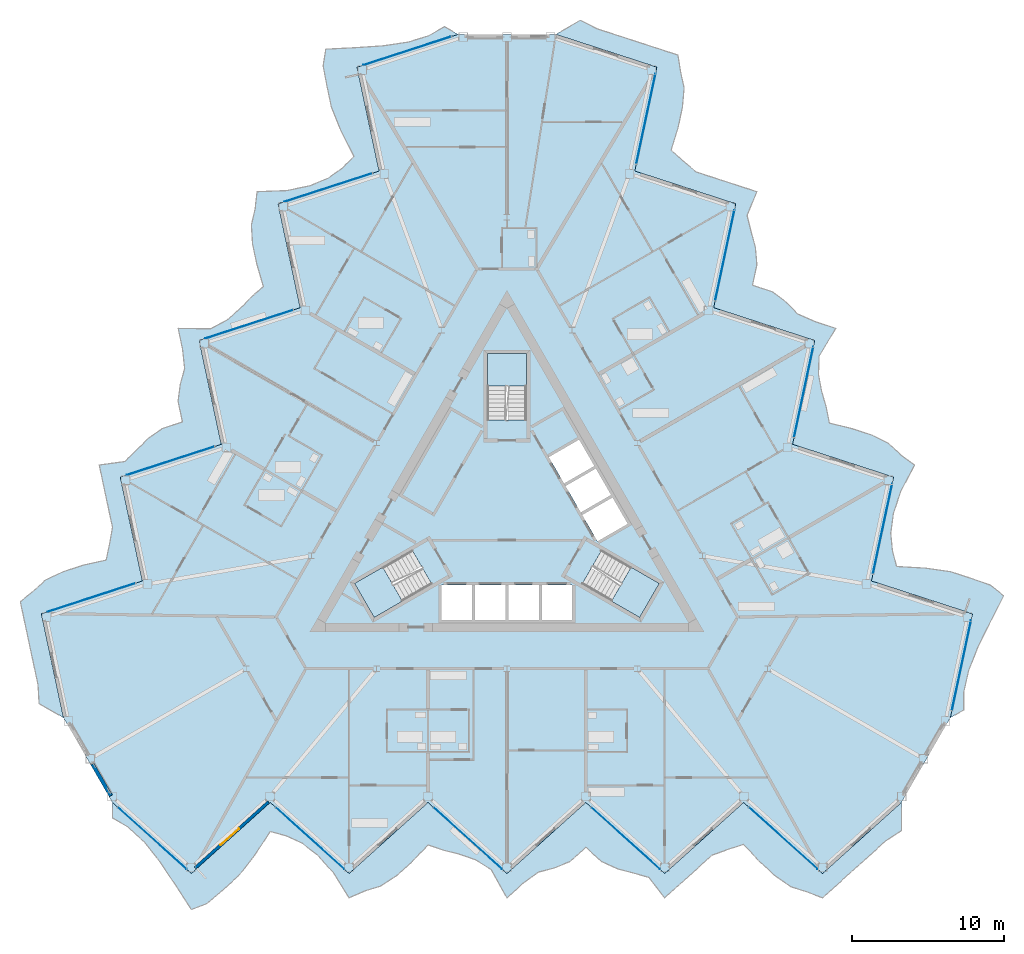
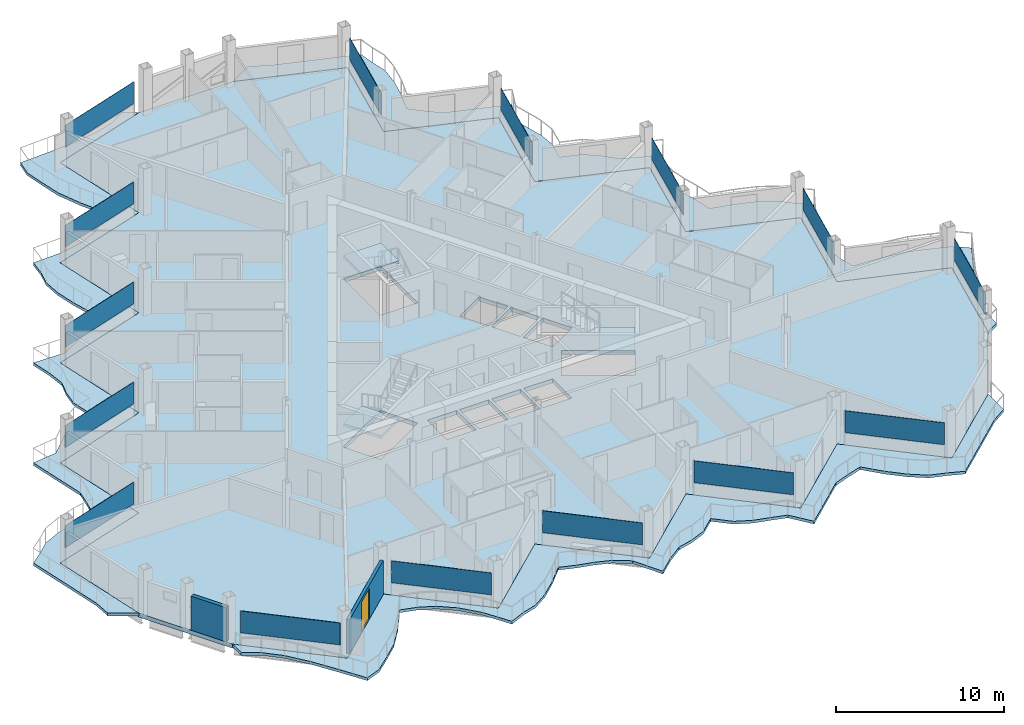
# One storey, part 12 of 26: 15 plates, 7 slabs, 2 walls, 1 door, 1 opening, 18 elements without a shape of their own.
"""IFC4 building model written with IfcOpenShell, lengths in metres."""

from ifc_helpers import new_model, si_unit, direction, frame, frame_2d, origin, origin_2d, place, context, subcontext, project, spatial, polyline, rectangle, outline, extrude, material, layer, layer_set, type_object, element, fill, aggregate, save


model = new_model("IFC4")

# Units and contexts
model_context = context("Model", 3, precision=1e-05, world=origin(), true_north=direction((0.0, 1.0)))
body_context = subcontext(model_context, "Body", "Model", "MODEL_VIEW")
ifc_project = project(units=[si_unit("LENGTHUNIT", "METRE"), si_unit("AREAUNIT", "SQUARE_METRE"), si_unit("VOLUMEUNIT", "CUBIC_METRE"), si_unit("PLANEANGLEUNIT", "RADIAN"), si_unit("MASSUNIT", "GRAM", prefix="KILO")], contexts=[model_context])

# Site, building, storey
site_placement = place(None, origin())
site = spatial("IfcSite", under=ifc_project, at=site_placement, CompositionType="ELEMENT")
building_placement = place(site_placement, origin())
building = spatial("IfcBuilding", under=site, at=building_placement, Name="Cormorant Prow Tower", CompositionType="ELEMENT")
storey_placement = place(building_placement, frame((0.0, 0.0, 322.199951171875)))
storey = spatial("IfcBuildingStorey", under=building, at=storey_placement, Name="L71", CompositionType="ELEMENT", Elevation=322.199951171875)

# Slabs
ifc_material_1 = material(Name="Concrete C40/50", Category="concrete")
ifc_layer_1 = layer(ifc_material_1, 0.199951171875)
ifc_layer_set_1 = layer_set([ifc_layer_1], Name="Concrete C40/50")
slab_type_1 = type_object("IfcSlabType", Name="Balcony slab 200", PredefinedType="FLOOR", material=ifc_layer_set_1)
slab_1_placement = place(storey_placement, frame((0.0, 0.0, -0.199951171875)))
element("IfcSlab", 1, at=slab_1_placement, inside=storey, type_object=slab_type_1, Name="Balcony slab S L71", PredefinedType="FLOOR", context=body_context, shape_type="SweptSolid", body=[
    extrude(outline(polyline([(-25.9736328125, -18.718017578125), (-25.9736328125, -19.734130859375), (-24.9345703125, -20.33837890625), (-23.895751953125, -21.299560546875), (-22.856689453125, -22.610595703125), (-21.81787109375, -24.16064453125), (-20.77880859375, -25.769287109375), (-19.739990234375, -25.367919921875), (-18.700927734375, -24.474609375), (-17.662109375, -23.5390625), (-16.623046875, -22.214111328125), (-15.584228515625, -20.627685546875), (-14.545166015625, -20.90966796875), (-13.50634765625, -21.380615234375), (-12.46728515625, -22.177490234375), (-11.428466796875, -23.3408203125), (-10.389404296875, -24.995361328125), (-9.3505859375, -24.540283203125), (-8.3115234375, -24.223876953125), (-7.272705078125, -23.5390625), (-6.233642578125, -22.603515625), (-5.19482421875, -21.515625), (-4.15576171875, -21.864990234375), (-3.116943359375, -22.123046875), (-2.077880859375, -22.488525390625), (-1.0390625, -23.129150390625), (0.0, -24.995361328125), (1.0390625, -24.06005859375), (2.077880859375, -23.300537109375), (3.116943359375, -23.0322265625), (4.15576171875, -22.603515625), (5.19482421875, -21.668212890625), (6.233642578125, -22.603515625), (7.272705078125, -23.083984375), (8.3115234375, -23.358154296875), (9.3505859375, -23.652099609375), (10.389404296875, -24.995361328125), (11.428466796875, -24.06005859375), (12.46728515625, -23.12451171875), (13.50634765625, -22.18896484375), (14.545166015625, -21.80859375), (15.584228515625, -21.474365234375), (16.623046875, -22.603515625), (17.662109375, -23.5390625), (18.700927734375, -24.267578125), (19.739990234375, -24.597412109375), (20.77880859375, -24.995361328125), (21.81787109375, -24.06005859375), (22.856689453125, -23.12451171875), (23.895751953125, -22.18896484375), (24.9345703125, -21.253662109375), (25.9736328125, -20.56982421875), (25.9736328125, -18.718017578125), (24.9345703125, -19.653564453125), (23.895751953125, -20.589111328125), (22.856689453125, -21.5244140625), (21.81787109375, -22.4599609375), (20.77880859375, -23.3955078125), (19.739990234375, -22.4599609375), (18.700927734375, -21.5244140625), (17.662109375, -20.589111328125), (16.623046875, -19.653564453125), (15.584228515625, -18.718017578125), (14.545166015625, -19.653564453125), (13.50634765625, -20.589111328125), (12.46728515625, -21.5244140625), (11.428466796875, -22.4599609375), (10.389404296875, -23.3955078125), (9.3505859375, -22.4599609375), (8.3115234375, -21.5244140625), (7.272705078125, -20.589111328125), (6.233642578125, -19.653564453125), (5.19482421875, -18.718017578125), (4.15576171875, -19.653564453125), (3.116943359375, -20.589111328125), (2.077880859375, -21.5244140625), (1.0390625, -22.4599609375), (0.0, -23.3955078125), (-1.0390625, -22.4599609375), (-2.077880859375, -21.5244140625), (-3.116943359375, -20.589111328125), (-4.15576171875, -19.653564453125), (-5.19482421875, -18.718017578125), (-6.233642578125, -19.653564453125), (-7.272705078125, -20.589111328125), (-8.3115234375, -21.5244140625), (-9.3505859375, -22.4599609375), (-10.389404296875, -23.3955078125), (-11.428466796875, -22.4599609375), (-12.46728515625, -21.5244140625), (-13.50634765625, -20.589111328125), (-14.545166015625, -19.653564453125), (-15.584228515625, -18.718017578125), (-16.623046875, -19.653564453125), (-17.662109375, -20.589111328125), (-18.700927734375, -21.5244140625), (-19.739990234375, -22.4599609375), (-20.77880859375, -23.3955078125), (-21.81787109375, -22.4599609375), (-22.856689453125, -21.5244140625), (-23.895751953125, -20.589111328125), (-24.9345703125, -19.653564453125), (-25.9736328125, -18.718017578125)])), origin(), (0.0, 0.0, 1.0), 0.199951171875),
])
slab_2_placement = place(storey_placement, frame((0.0, 0.0, -0.199951171875)))
element("IfcSlab", 2, at=slab_2_placement, inside=storey, type_object=slab_type_1, Name="Balcony slab ENE L71", PredefinedType="FLOOR", context=body_context, shape_type="SweptSolid", body=[
    extrude(outline(polyline([(29.197021484375, -13.134765625), (30.0771484375, -12.626708984375), (30.080810546875, -11.4248046875), (30.393798828125, -10.04443359375), (31.009521484375, -8.4892578125), (31.83251953125, -6.814453125), (32.706298828125, -5.1103515625), (31.839111328125, -4.411376953125), (30.546142578125, -3.958251953125), (29.21630859375, -3.526123046875), (27.549560546875, -3.288818359375), (25.65625, -3.182373046875), (25.380859375, -2.1416015625), (25.269287109375, -1.00634765625), (25.43994140625, 0.291748046875), (25.927978515625, 1.773193359375), (26.84130859375, 3.500244140625), (25.927734375, 4.17236328125), (25.13427734375, 4.913818359375), (24.021728515625, 5.47119140625), (22.692138671875, 5.9033203125), (21.23046875, 6.259033203125), (21.013671875, 7.33349609375), (20.717529296875, 8.3623046875), (20.5146484375, 9.44482421875), (20.550048828125, 10.664794921875), (21.646728515625, 12.497802734375), (20.317138671875, 12.9296875), (19.139892578125, 13.44970703125), (18.38818359375, 14.21533203125), (17.497314453125, 14.90087890625), (16.167724609375, 15.332763671875), (16.45849609375, 16.7001953125), (16.35498046875, 17.840087890625), (16.072998046875, 18.877197265625), (15.80810546875, 19.923828125), (16.451904296875, 21.4951171875), (15.122314453125, 21.92724609375), (13.792724609375, 22.359375), (12.463134765625, 22.791259765625), (11.6142578125, 23.500732421875), (10.80517578125, 24.2333984375), (11.263671875, 25.69775390625), (11.554443359375, 27.065185546875), (11.665771484375, 28.3291015625), (11.43212890625, 29.39404296875), (11.25732421875, 30.49267578125), (9.927734375, 30.9248046875), (8.59814453125, 31.356689453125), (7.2685546875, 31.788818359375), (5.93896484375, 32.220703125), (4.8271484375, 32.778564453125), (3.2236328125, 31.852783203125), (4.55322265625, 31.4208984375), (5.8828125, 30.98876953125), (7.21240234375, 30.556640625), (8.5419921875, 30.124755859375), (9.87158203125, 29.692626953125), (9.5810546875, 28.3251953125), (9.290283203125, 26.957763671875), (8.999755859375, 25.59033203125), (8.708984375, 24.222900390625), (8.418212890625, 22.855224609375), (9.748046875, 22.42333984375), (11.07763671875, 21.9912109375), (12.4072265625, 21.559326171875), (13.73681640625, 21.127197265625), (15.06640625, 20.6953125), (14.775634765625, 19.32763671875), (14.485107421875, 17.960205078125), (14.1943359375, 16.5927734375), (13.90380859375, 15.225341796875), (13.613037109375, 13.85791015625), (14.942626953125, 13.42578125), (16.272216796875, 12.993896484375), (17.601806640625, 12.561767578125), (18.931396484375, 12.129638671875), (20.260986328125, 11.69775390625), (19.970458984375, 10.330322265625), (19.6796875, 8.962646484375), (19.38916015625, 7.59521484375), (19.098388671875, 6.227783203125), (18.8076171875, 4.8603515625), (20.137451171875, 4.42822265625), (21.467041015625, 3.996337890625), (22.796630859375, 3.564208984375), (24.126220703125, 3.13232421875), (25.455810546875, 2.7001953125), (25.1650390625, 1.332763671875), (24.87451171875, -0.03466796875), (24.583740234375, -1.402099609375), (24.293212890625, -2.769775390625), (24.00244140625, -4.13720703125), (25.33203125, -4.569091796875), (26.66162109375, -5.001220703125), (27.9912109375, -5.43310546875), (29.32080078125, -5.865234375), (30.650390625, -6.29736328125), (30.35986328125, -7.664794921875), (30.069091796875, -9.0322265625), (29.778564453125, -10.399658203125), (29.48779296875, -11.76708984375), (29.197021484375, -13.134765625)])), origin(), (0.0, 0.0, 1.0), 0.199951171875),
])
slab_3_placement = place(storey_placement, frame((0.0, 0.0, -0.199951171875)))
element("IfcSlab", 3, at=slab_3_placement, inside=storey, type_object=slab_type_1, Name="Balcony slab WNW L71", PredefinedType="FLOOR", context=body_context, shape_type="SweptSolid", body=[
    extrude(outline(polyline([(-3.2236328125, 31.852783203125), (-4.103515625, 32.36083984375), (-5.146240234375, 31.76318359375), (-6.498291015625, 31.343994140625), (-8.15283203125, 31.099853515625), (-10.014892578125, 30.97509765625), (-11.927490234375, 30.879638671875), (-12.099365234375, 29.779052734375), (-11.84521484375, 28.432861328125), (-11.554443359375, 27.065185546875), (-10.926513671875, 25.5029296875), (-10.072021484375, 23.81005859375), (-10.835693359375, 23.05126953125), (-11.762939453125, 22.386962890625), (-12.97265625, 21.8857421875), (-14.49951171875, 21.567626953125), (-16.451904296875, 21.4951171875), (-16.5771484375, 20.367919921875), (-16.82275390625, 19.309814453125), (-16.7490234375, 18.06787109375), (-16.45849609375, 16.7001953125), (-16.03564453125, 15.256591796875), (-16.85791015625, 14.531494140625), (-17.600830078125, 13.7607421875), (-18.436767578125, 13.043701171875), (-19.510986328125, 12.46435546875), (-21.646728515625, 12.497802734375), (-21.35595703125, 11.13037109375), (-21.2177734375, 9.850830078125), (-21.5048828125, 8.81689453125), (-21.653076171875, 7.702880859375), (-21.362548828125, 6.335205078125), (-22.692138671875, 5.9033203125), (-23.62744140625, 5.24365234375), (-24.384521484375, 4.481201171875), (-25.158447265625, 3.728271484375), (-26.84130859375, 3.500244140625), (-26.55078125, 2.1328125), (-26.260009765625, 0.765380859375), (-25.969482421875, -0.602294921875), (-26.159423828125, -1.692138671875), (-26.389404296875, -2.759033203125), (-27.88671875, -3.09423828125), (-29.21630859375, -3.526123046875), (-30.36669921875, -4.061767578125), (-31.171875, -4.796630859375), (-32.0361328125, -5.497314453125), (-31.745361328125, -6.86474609375), (-31.454833984375, -8.232177734375), (-31.1640625, -9.599609375), (-30.87353515625, -10.96728515625), (-30.80078125, -12.208740234375), (-29.197021484375, -13.134765625), (-29.48779296875, -11.76708984375), (-29.778564453125, -10.399658203125), (-30.069091796875, -9.0322265625), (-30.35986328125, -7.664794921875), (-30.650390625, -6.29736328125), (-29.32080078125, -5.865234375), (-27.9912109375, -5.43310546875), (-26.66162109375, -5.001220703125), (-25.33203125, -4.569091796875), (-24.00244140625, -4.13720703125), (-24.293212890625, -2.769775390625), (-24.583740234375, -1.402099609375), (-24.87451171875, -0.03466796875), (-25.1650390625, 1.332763671875), (-25.455810546875, 2.7001953125), (-24.126220703125, 3.13232421875), (-22.796630859375, 3.564208984375), (-21.467041015625, 3.996337890625), (-20.137451171875, 4.42822265625), (-18.8076171875, 4.8603515625), (-19.098388671875, 6.227783203125), (-19.38916015625, 7.59521484375), (-19.6796875, 8.962646484375), (-19.970458984375, 10.330322265625), (-20.260986328125, 11.69775390625), (-18.931396484375, 12.129638671875), (-17.601806640625, 12.561767578125), (-16.272216796875, 12.993896484375), (-14.942626953125, 13.42578125), (-13.613037109375, 13.85791015625), (-13.90380859375, 15.225341796875), (-14.1943359375, 16.5927734375), (-14.485107421875, 17.960205078125), (-14.775634765625, 19.32763671875), (-15.06640625, 20.6953125), (-13.73681640625, 21.127197265625), (-12.4072265625, 21.559326171875), (-11.07763671875, 21.9912109375), (-9.748046875, 22.42333984375), (-8.418212890625, 22.855224609375), (-8.708984375, 24.222900390625), (-8.999755859375, 25.59033203125), (-9.290283203125, 26.957763671875), (-9.5810546875, 28.3251953125), (-9.87158203125, 29.692626953125), (-8.5419921875, 30.124755859375), (-7.21240234375, 30.556640625), (-5.8828125, 30.98876953125), (-4.55322265625, 31.4208984375), (-3.2236328125, 31.852783203125)])), origin(), (0.0, 0.0, 1.0), 0.199951171875),
])
ifc_material_2 = material(Name="Concrete C40/50", Category="concrete")
ifc_layer_2 = layer(ifc_material_2, 0.300048828125)
ifc_layer_set_2 = layer_set([ifc_layer_2], Name="Concrete C40/50")
slab_type_2 = type_object("IfcSlabType", Name="Post-tensioned flat slab 300", PredefinedType="FLOOR", material=ifc_layer_set_2)
slab_4_placement = place(storey_placement, frame((0.0, 0.0, -0.300048828125)))
element("IfcSlab", 4, at=slab_4_placement, inside=storey, type_object=slab_type_2, Name="Floor slab L71", PredefinedType="FLOOR", context=body_context, shape_type="SweptSolid", body=[
    extrude(outline(polyline([(-8.418212890625, 22.855224609375), (-15.06640625, 20.6953125), (-13.613037109375, 13.85791015625), (-20.260986328125, 11.69775390625), (-18.8076171875, 4.8603515625), (-25.455810546875, 2.7001953125), (-24.00244140625, -4.13720703125), (-30.650390625, -6.29736328125), (-29.197021484375, -13.134765625), (-27.58544921875, -15.926513671875), (-25.9736328125, -18.718017578125), (-20.77880859375, -23.3955078125), (-15.584228515625, -18.718017578125), (-10.389404296875, -23.3955078125), (-5.19482421875, -18.718017578125), (0.0, -23.3955078125), (5.19482421875, -18.718017578125), (10.389404296875, -23.3955078125), (15.584228515625, -18.718017578125), (20.77880859375, -23.3955078125), (25.9736328125, -18.718017578125), (27.58544921875, -15.926513671875), (29.197021484375, -13.134765625), (30.650390625, -6.29736328125), (24.00244140625, -4.13720703125), (25.455810546875, 2.7001953125), (18.8076171875, 4.8603515625), (20.260986328125, 11.69775390625), (13.613037109375, 13.85791015625), (15.06640625, 20.6953125), (8.418212890625, 22.855224609375), (9.87158203125, 29.692626953125), (3.2236328125, 31.852783203125), (0.0, 31.852783203125), (-3.2236328125, 31.852783203125), (-9.87158203125, 29.692626953125), (-8.418212890625, 22.855224609375)]), holes=[polyline([(-4.300048828125, -4.39990234375), (-2.300048828125, -4.39990234375), (-2.300048828125, -6.699951171875), (-4.300048828125, -6.699951171875), (-4.300048828125, -4.39990234375)]), polyline([(-0.10009765625, -4.39990234375), (-0.10009765625, -6.699951171875), (-2.10009765625, -6.699951171875), (-2.10009765625, -4.39990234375), (-0.10009765625, -4.39990234375)]), polyline([(2.10009765625, -6.699951171875), (0.10009765625, -6.699951171875), (0.10009765625, -4.39990234375), (2.10009765625, -4.39990234375), (2.10009765625, -6.699951171875)]), polyline([(2.300048828125, -6.699951171875), (2.300048828125, -4.39990234375), (4.300048828125, -4.39990234375), (4.300048828125, -6.699951171875), (2.300048828125, -6.699951171875)]), polyline([(5.96044921875, -1.52392578125), (4.96044921875, 0.2080078125), (6.952392578125, 1.358154296875), (7.952392578125, -0.373779296875), (5.96044921875, -1.52392578125)]), polyline([(3.860595703125, 2.11328125), (5.852294921875, 3.263427734375), (6.852294921875, 1.53125), (4.860595703125, 0.38134765625), (3.860595703125, 2.11328125)]), polyline([(4.75244140625, 5.168701171875), (5.75244140625, 3.4365234375), (3.760498046875, 2.28662109375), (2.760498046875, 4.018798828125), (4.75244140625, 5.168701171875)]), polyline([(-4.947509765625, -4.3505859375), (-8.738037109375, -6.5390625), (-10.031982421875, -4.2978515625), (-6.241455078125, -2.109375), (-4.947509765625, -4.3505859375)]), polyline([(10.031982421875, -4.2978515625), (8.738037109375, -6.5390625), (4.947509765625, -4.3505859375), (6.241455078125, -2.109375), (10.031982421875, -4.2978515625)]), polyline([(1.2939453125, 10.8369140625), (1.2939453125, 6.459716796875), (-1.2939453125, 6.459716796875), (-1.2939453125, 10.8369140625), (1.2939453125, 10.8369140625)])]), origin(), (0.0, 0.0, 1.0), 0.300048828125),
])

# Curtain wall, plate
ifc_material_3 = material(Name="Aluminium 6063-T6", Category="aluminium")
ifc_layer_3 = layer(ifc_material_3, 0.159912109375)
ifc_layer_set_3 = layer_set([ifc_layer_3], Name="Aluminium 6063-T6")
curtain_wall_type = type_object("IfcCurtainWallType", Name="Residential unitised curtain wall 160", PredefinedType="NOTDEFINED", material=ifc_layer_set_3)
curtain_wall_1_placement = place(storey_placement, origin())
curtain_wall_1 = element("IfcCurtainWall", 5, at=curtain_wall_1_placement, inside=storey, type_object=curtain_wall_type, Name="Residential curtain wall S00", PredefinedType="NOTDEFINED")
ifc_material_4 = material(Name="Clear glass", Category="glass")
ifc_layer_4 = layer(ifc_material_4, 0.02392578125)
ifc_layer_set_4 = layer_set([ifc_layer_4], Name="Clear glass")
plate_type = type_object("IfcPlateType", Name="Residential glass panel 24", PredefinedType="CURTAIN_PANEL", material=ifc_layer_set_4)
plate_1_placement = place(storey_placement, frame((-23.357666015625, -21.073486328125, 0.900146484375), z_axis=(0.0, 0.0, 1.0), x_axis=(0.74314478215, -0.669130654479, 0.0)))
plate_1 = element("IfcPlate", 6, at=plate_1_placement, type_object=plate_type, Name="Residential glass panel S00", PredefinedType="CURTAIN_PANEL", context=body_context, shape_type="SweptSolid", body=[
    extrude(rectangle(XDim=6.072265625, YDim=0.02392578125, at=origin_2d()), origin(), (0.0, 0.0, 1.0), 1.587890625),
])
aggregate(curtain_wall_1, [plate_1])

curtain_wall_2_placement = place(storey_placement, origin())
curtain_wall_2 = element("IfcCurtainWall", 7, at=curtain_wall_2_placement, inside=storey, type_object=curtain_wall_type, Name="Residential curtain wall S02", PredefinedType="NOTDEFINED")
plate_2_placement = place(storey_placement, frame((-12.96826171875, -21.073486328125, 0.900146484375), z_axis=(0.0, 0.0, 1.0), x_axis=(0.74314478215, -0.669130654479, 0.0)))
plate_2 = element("IfcPlate", 8, at=plate_2_placement, type_object=plate_type, Name="Residential glass panel S02", PredefinedType="CURTAIN_PANEL", context=body_context, shape_type="SweptSolid", body=[
    extrude(rectangle(XDim=6.072265625, YDim=0.02392578125, at=origin_2d()), origin(), (0.0, 0.0, 1.0), 1.587890625),
])
aggregate(curtain_wall_2, [plate_2])

curtain_wall_3_placement = place(storey_placement, origin())
curtain_wall_3 = element("IfcCurtainWall", 9, at=curtain_wall_3_placement, inside=storey, type_object=curtain_wall_type, Name="Residential curtain wall S04", PredefinedType="NOTDEFINED")
plate_3_placement = place(storey_placement, frame((-2.578857421875, -21.073486328125, 0.900146484375), z_axis=(0.0, 0.0, 1.0), x_axis=(0.74314478215, -0.669130654479, 0.0)))
plate_3 = element("IfcPlate", 10, at=plate_3_placement, type_object=plate_type, Name="Residential glass panel S04", PredefinedType="CURTAIN_PANEL", context=body_context, shape_type="SweptSolid", body=[
    extrude(rectangle(XDim=6.072265625, YDim=0.02392578125, at=origin_2d()), origin(), (0.0, 0.0, 1.0), 1.587890625),
])
aggregate(curtain_wall_3, [plate_3])

curtain_wall_4_placement = place(storey_placement, origin())
curtain_wall_4 = element("IfcCurtainWall", 11, at=curtain_wall_4_placement, inside=storey, type_object=curtain_wall_type, Name="Residential curtain wall S06", PredefinedType="NOTDEFINED")
plate_4_placement = place(storey_placement, frame((7.810546875, -21.073486328125, 0.900146484375), z_axis=(0.0, 0.0, 1.0), x_axis=(0.74314478215, -0.669130654479, 0.0)))
plate_4 = element("IfcPlate", 12, at=plate_4_placement, type_object=plate_type, Name="Residential glass panel S06", PredefinedType="CURTAIN_PANEL", context=body_context, shape_type="SweptSolid", body=[
    extrude(rectangle(XDim=6.072265625, YDim=0.02392578125, at=origin_2d()), origin(), (0.0, 0.0, 1.0), 1.587890625),
])
aggregate(curtain_wall_4, [plate_4])

curtain_wall_5_placement = place(storey_placement, origin())
curtain_wall_5 = element("IfcCurtainWall", 13, at=curtain_wall_5_placement, inside=storey, type_object=curtain_wall_type, Name="Residential curtain wall S08", PredefinedType="NOTDEFINED")
plate_5_placement = place(storey_placement, frame((18.199951171875, -21.073486328125, 0.900146484375), z_axis=(0.0, 0.0, 1.0), x_axis=(0.74314478215, -0.669130654479, 0.0)))
plate_5 = element("IfcPlate", 14, at=plate_5_placement, type_object=plate_type, Name="Residential glass panel S08", PredefinedType="CURTAIN_PANEL", context=body_context, shape_type="SweptSolid", body=[
    extrude(rectangle(XDim=6.072265625, YDim=0.02392578125, at=origin_2d()), origin(), (0.0, 0.0, 1.0), 1.587890625),
])
aggregate(curtain_wall_5, [plate_5])

curtain_wall_6_placement = place(storey_placement, origin())
curtain_wall_6 = element("IfcCurtainWall", 15, at=curtain_wall_6_placement, inside=storey, type_object=curtain_wall_type, Name="Residential curtain wall ENE00", PredefinedType="NOTDEFINED")
plate_6_placement = place(storey_placement, frame((29.928955078125, -9.69140625, 0.900146484375), z_axis=(0.0, 0.0, 1.0), x_axis=(0.207911691091, 0.978147600676, 0.0)))
plate_6 = element("IfcPlate", 16, at=plate_6_placement, type_object=plate_type, Name="Residential glass panel ENE00", PredefinedType="CURTAIN_PANEL", context=body_context, shape_type="SweptSolid", body=[
    extrude(rectangle(XDim=6.072265625, YDim=0.02392578125, at=origin_2d()), origin(), (0.0, 0.0, 1.0), 1.587890625),
])
aggregate(curtain_wall_6, [plate_6])

curtain_wall_7_placement = place(storey_placement, origin())
curtain_wall_7 = element("IfcCurtainWall", 17, at=curtain_wall_7_placement, inside=storey, type_object=curtain_wall_type, Name="Residential curtain wall ENE02", PredefinedType="NOTDEFINED")
plate_7_placement = place(storey_placement, frame((24.734375, -0.694091796875, 0.900146484375), z_axis=(0.0, 0.0, 1.0), x_axis=(0.207911691091, 0.978147600676, 0.0)))
plate_7 = element("IfcPlate", 18, at=plate_7_placement, type_object=plate_type, Name="Residential glass panel ENE02", PredefinedType="CURTAIN_PANEL", context=body_context, shape_type="SweptSolid", body=[
    extrude(rectangle(XDim=6.072265625, YDim=0.02392578125, at=origin_2d()), origin(), (0.0, 0.0, 1.0), 1.587890625),
])
aggregate(curtain_wall_7, [plate_7])

curtain_wall_8_placement = place(storey_placement, origin())
curtain_wall_8 = element("IfcCurtainWall", 19, at=curtain_wall_8_placement, inside=storey, type_object=curtain_wall_type, Name="Residential curtain wall ENE04", PredefinedType="NOTDEFINED")
plate_8_placement = place(storey_placement, frame((19.53955078125, 8.303466796875, 0.900146484375), z_axis=(0.0, 0.0, 1.0), x_axis=(0.207911691091, 0.978147600676, 0.0)))
plate_8 = element("IfcPlate", 20, at=plate_8_placement, type_object=plate_type, Name="Residential glass panel ENE04", PredefinedType="CURTAIN_PANEL", context=body_context, shape_type="SweptSolid", body=[
    extrude(rectangle(XDim=6.072265625, YDim=0.02392578125, at=origin_2d()), origin(), (0.0, 0.0, 1.0), 1.587890625),
])
aggregate(curtain_wall_8, [plate_8])

curtain_wall_9_placement = place(storey_placement, origin())
curtain_wall_9 = element("IfcCurtainWall", 21, at=curtain_wall_9_placement, inside=storey, type_object=curtain_wall_type, Name="Residential curtain wall ENE06", PredefinedType="NOTDEFINED")
plate_9_placement = place(storey_placement, frame((14.344970703125, 17.301025390625, 0.900146484375), z_axis=(0.0, 0.0, 1.0), x_axis=(0.207911691091, 0.978147600676, 0.0)))
plate_9 = element("IfcPlate", 22, at=plate_9_placement, type_object=plate_type, Name="Residential glass panel ENE06", PredefinedType="CURTAIN_PANEL", context=body_context, shape_type="SweptSolid", body=[
    extrude(rectangle(XDim=6.072265625, YDim=0.02392578125, at=origin_2d()), origin(), (0.0, 0.0, 1.0), 1.587890625),
])
aggregate(curtain_wall_9, [plate_9])

curtain_wall_10_placement = place(storey_placement, origin())
curtain_wall_10 = element("IfcCurtainWall", 23, at=curtain_wall_10_placement, inside=storey, type_object=curtain_wall_type, Name="Residential curtain wall ENE08", PredefinedType="NOTDEFINED")
plate_10_placement = place(storey_placement, frame((9.150146484375, 26.298583984375, 0.900146484375), z_axis=(0.0, 0.0, 1.0), x_axis=(0.207911662, 0.978147606859, 0.0)))
plate_10 = element("IfcPlate", 24, at=plate_10_placement, type_object=plate_type, Name="Residential glass panel ENE08", PredefinedType="CURTAIN_PANEL", context=body_context, shape_type="SweptSolid", body=[
    extrude(rectangle(XDim=6.072265625, YDim=0.02392578125, at=origin_2d()), origin(), (0.0, 0.0, 1.0), 1.587890625),
])
aggregate(curtain_wall_10, [plate_10])

curtain_wall_11_placement = place(storey_placement, origin())
curtain_wall_11 = element("IfcCurtainWall", 25, at=curtain_wall_11_placement, inside=storey, type_object=curtain_wall_type, Name="Residential curtain wall WNW00", PredefinedType="NOTDEFINED")
plate_11_placement = place(storey_placement, frame((-6.571533203125, 30.76513671875, 0.900146484375), z_axis=(0.0, 0.0, 1.0), x_axis=(-0.951056549389, -0.309016892523, 0.0)))
plate_11 = element("IfcPlate", 26, at=plate_11_placement, type_object=plate_type, Name="Residential glass panel WNW00", PredefinedType="CURTAIN_PANEL", context=body_context, shape_type="SweptSolid", body=[
    extrude(rectangle(XDim=6.072265625, YDim=0.02392578125, at=origin_2d()), origin(), (0.0, 0.0, 1.0), 1.587890625),
])
aggregate(curtain_wall_11, [plate_11])

curtain_wall_12_placement = place(storey_placement, origin())
curtain_wall_12 = element("IfcCurtainWall", 27, at=curtain_wall_12_placement, inside=storey, type_object=curtain_wall_type, Name="Residential curtain wall WNW02", PredefinedType="NOTDEFINED")
plate_12_placement = place(storey_placement, frame((-11.76611328125, 21.767578125, 0.900146484375), z_axis=(0.0, 0.0, 1.0), x_axis=(-0.951056549389, -0.309016892523, 0.0)))
plate_12 = element("IfcPlate", 28, at=plate_12_placement, type_object=plate_type, Name="Residential glass panel WNW02", PredefinedType="CURTAIN_PANEL", context=body_context, shape_type="SweptSolid", body=[
    extrude(rectangle(XDim=6.072265625, YDim=0.02392578125, at=origin_2d()), origin(), (0.0, 0.0, 1.0), 1.587890625),
])
aggregate(curtain_wall_12, [plate_12])

curtain_wall_13_placement = place(storey_placement, origin())
curtain_wall_13 = element("IfcCurtainWall", 29, at=curtain_wall_13_placement, inside=storey, type_object=curtain_wall_type, Name="Residential curtain wall WNW04", PredefinedType="NOTDEFINED")
plate_13_placement = place(storey_placement, frame((-16.9609375, 12.77001953125, 0.900146484375), z_axis=(0.0, 0.0, 1.0), x_axis=(-0.951056507348, -0.309017021913, 0.0)))
plate_13 = element("IfcPlate", 30, at=plate_13_placement, type_object=plate_type, Name="Residential glass panel WNW04", PredefinedType="CURTAIN_PANEL", context=body_context, shape_type="SweptSolid", body=[
    extrude(rectangle(XDim=6.072265625, YDim=0.02392578125, at=origin_2d()), origin(), (0.0, 0.0, 1.0), 1.587890625),
])
aggregate(curtain_wall_13, [plate_13])

curtain_wall_14_placement = place(storey_placement, origin())
curtain_wall_14 = element("IfcCurtainWall", 31, at=curtain_wall_14_placement, inside=storey, type_object=curtain_wall_type, Name="Residential curtain wall WNW06", PredefinedType="NOTDEFINED")
plate_14_placement = place(storey_placement, frame((-22.155517578125, 3.7724609375, 0.900146484375), z_axis=(0.0, 0.0, 1.0), x_axis=(-0.951056507348, -0.309017021913, 0.0)))
plate_14 = element("IfcPlate", 32, at=plate_14_placement, type_object=plate_type, Name="Residential glass panel WNW06", PredefinedType="CURTAIN_PANEL", context=body_context, shape_type="SweptSolid", body=[
    extrude(rectangle(XDim=6.072265625, YDim=0.02392578125, at=origin_2d()), origin(), (0.0, 0.0, 1.0), 1.587890625),
])
aggregate(curtain_wall_14, [plate_14])

curtain_wall_15_placement = place(storey_placement, origin())
curtain_wall_15 = element("IfcCurtainWall", 33, at=curtain_wall_15_placement, inside=storey, type_object=curtain_wall_type, Name="Residential curtain wall WNW08", PredefinedType="NOTDEFINED")
plate_15_placement = place(storey_placement, frame((-27.350341796875, -5.224853515625, 0.900146484375), z_axis=(0.0, 0.0, 1.0), x_axis=(-0.951056507348, -0.309017021913, 0.0)))
plate_15 = element("IfcPlate", 34, at=plate_15_placement, type_object=plate_type, Name="Residential glass panel WNW08", PredefinedType="CURTAIN_PANEL", context=body_context, shape_type="SweptSolid", body=[
    extrude(rectangle(XDim=6.072265625, YDim=0.02392578125, at=origin_2d()), origin(), (0.0, 0.0, 1.0), 1.587890625),
])
aggregate(curtain_wall_15, [plate_15])

# Stair, slab
ifc_material_5 = material(Name="Exit stair 18 risers")
stair_type = type_object("IfcStairType", Name="Exit stair 18 risers", PredefinedType="HALF_TURN_STAIR", material=ifc_material_5)
stair_1_placement = place(storey_placement, origin())
stair_1 = element("IfcStair", 35, at=stair_1_placement, inside=storey, type_object=stair_type, Name="L71 Exit stair ST1", PredefinedType="HALF_TURN_STAIR")
ifc_material_6 = material(Name="Concrete 5000 psi", Category="concrete")
ifc_layer_5 = layer(ifc_material_6, 0.199951171875)
ifc_layer_set_5 = layer_set([ifc_layer_5], Name="Concrete 5000 psi")
slab_type_3 = type_object("IfcSlabType", Name="Stair landing 200", PredefinedType="LANDING", material=ifc_layer_set_5)
slab_5_placement = place(storey_placement, frame((0.0, 0.0, 1.5)))
slab_5 = element("IfcSlab", 36, at=slab_5_placement, type_object=slab_type_3, Name="ST1 landing 1", PredefinedType="LANDING", context=body_context, shape_type="SweptSolid", body=[
    extrude(outline(polyline([(-8.17431640625, -3.225341796875), (-10.031982421875, -4.2978515625), (-8.738037109375, -6.5390625), (-6.88037109375, -5.466552734375), (-8.17431640625, -3.225341796875)])), origin(), (0.0, 0.0, 1.0), 0.199951171875),
])
aggregate(stair_1, [slab_5])

stair_2_placement = place(storey_placement, origin())
stair_2 = element("IfcStair", 37, at=stair_2_placement, inside=storey, type_object=stair_type, Name="L71 Exit stair ST2", PredefinedType="HALF_TURN_STAIR")
slab_6_placement = place(storey_placement, frame((0.0, 0.0, 1.5)))
slab_6 = element("IfcSlab", 38, at=slab_6_placement, type_object=slab_type_3, Name="ST2 landing 1", PredefinedType="LANDING", context=body_context, shape_type="SweptSolid", body=[
    extrude(outline(polyline([(6.88037109375, -5.466552734375), (8.738037109375, -6.5390625), (10.031982421875, -4.2978515625), (8.17431640625, -3.225341796875), (6.88037109375, -5.466552734375)])), origin(), (0.0, 0.0, 1.0), 0.199951171875),
])
aggregate(stair_2, [slab_6])

stair_3_placement = place(storey_placement, origin())
stair_3 = element("IfcStair", 39, at=stair_3_placement, inside=storey, type_object=stair_type, Name="L71 Exit stair ST3", PredefinedType="HALF_TURN_STAIR")
slab_7_placement = place(storey_placement, frame((0.0, 0.0, 1.5)))
slab_7 = element("IfcSlab", 40, at=slab_7_placement, type_object=slab_type_3, Name="ST3 landing 1", PredefinedType="LANDING", context=body_context, shape_type="SweptSolid", body=[
    extrude(outline(polyline([(1.2939453125, 8.69189453125), (1.2939453125, 10.8369140625), (-1.2939453125, 10.8369140625), (-1.2939453125, 8.69189453125), (1.2939453125, 8.69189453125)])), origin(), (0.0, 0.0, 1.0), 0.199951171875),
])
aggregate(stair_3, [slab_7])

# Wall
ifc_material_7 = material(Name="Terracotta", Category="masonry")
ifc_layer_6 = layer(ifc_material_7, 0.25)
ifc_layer_set_6 = layer_set([ifc_layer_6], Name="Terracotta")
wall_type_1 = type_object("IfcWallType", Name="Terracotta bay wall 250", PredefinedType="SOLIDWALL", material=ifc_layer_set_6)
wall_1_placement = place(storey_placement, frame((-27.2900390625, -16.18798828125, 0.0), z_axis=(0.0, 0.0, 1.0), x_axis=(0.50001992892, -0.866013897511, 0.0)))
element("IfcWall", 41, at=wall_1_placement, inside=storey, type_object=wall_type_1, Name="Terracotta bay wall WSW01", PredefinedType="SOLIDWALL", context=body_context, shape_type="SweptSolid", body=[
    extrude(rectangle(XDim=2.41552734375, YDim=0.25, at=frame_2d((1.207763671875, 0.0))), origin(), (0.0, 0.0, 1.0), 2.488037109375),
])

# Wall, opening, door
ifc_material_8 = material(Name="Terracotta", Category="masonry")
ifc_layer_7 = layer(ifc_material_8, 0.199951171875)
ifc_layer_set_7 = layer_set([ifc_layer_7], Name="Terracotta")
wall_type_2 = type_object("IfcWallType", Name="Terracotta jamb wall 200", PredefinedType="SOLIDWALL", material=ifc_layer_set_7)
wall_2_placement = place(storey_placement, frame((-20.523193359375, -23.03076171875, 0.0), z_axis=(0.0, 0.0, 1.0), x_axis=(0.743138937876, 0.669137145145, 0.0)))
wall_2 = element("IfcWall", 42, at=wall_2_placement, inside=storey, type_object=wall_type_2, Name="Terracotta jamb wall S01", PredefinedType="SOLIDWALL", context=body_context, shape_type="SweptSolid", body=[
    extrude(rectangle(XDim=6.49267578125, YDim=0.199951171875, at=frame_2d((3.246337890625, 0.0))), origin(), (0.0, 0.0, 1.0), 2.488037109375),
])
opening_placement = place(wall_2_placement, frame((2.260986328125, 0.0, 0.0)))
opening = element("IfcOpeningElement", 43, at=opening_placement, cuts=wall_2, Name="Opening ED71.01", PredefinedType="OPENING", context=body_context, shape_type="SweptSolid", body=[
    extrude(rectangle(XDim=1.60009765625, YDim=2.25, at=frame_2d((0.800048828125, 1.125))), frame((0.0, 0.10986328125, 0.0), z_axis=(0.0, -1.0, 0.0), x_axis=(1.0, 0.0, 0.0)), (0.0, 0.0, 1.0), 0.219970703125),
])
ifc_material_9 = material(Name="Aluminium 6063-T6", Category="aluminium")
door_type = type_object("IfcDoorType", Name="Balcony door 1600x2250", OperationType="DOUBLE_DOOR_SINGLE_SWING", PredefinedType="DOOR", material=ifc_material_9)
door_placement = place(opening_placement, origin())
door = element("IfcDoor", 44, at=door_placement, inside=storey, type_object=door_type, Name="Balcony door S01 ED71.01", OperationType="DOUBLE_DOOR_SINGLE_SWING", OverallHeight=2.25, OverallWidth=1.60009765625, PredefinedType="DOOR", context=body_context, shape_type="SweptSolid", body=[
    extrude(rectangle(XDim=1.60009765625, YDim=2.25, at=frame_2d((0.800048828125, 1.125))), frame((0.0, 0.02490234375, 0.0), z_axis=(0.0, -1.0, 0.0), x_axis=(1.0, 0.0, 0.0)), (0.0, 0.0, 1.0), 0.050048828125),
])
fill(opening, door)

save(model, "model.ifc")
